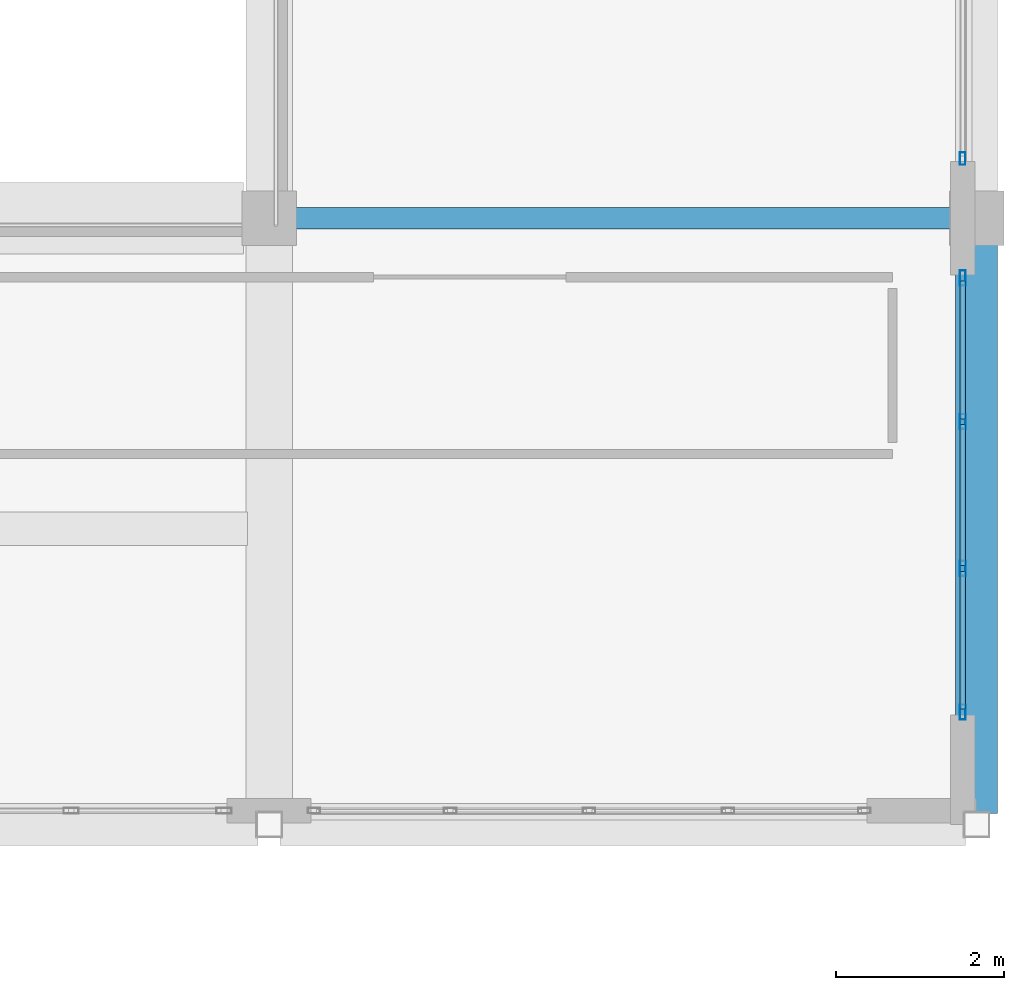
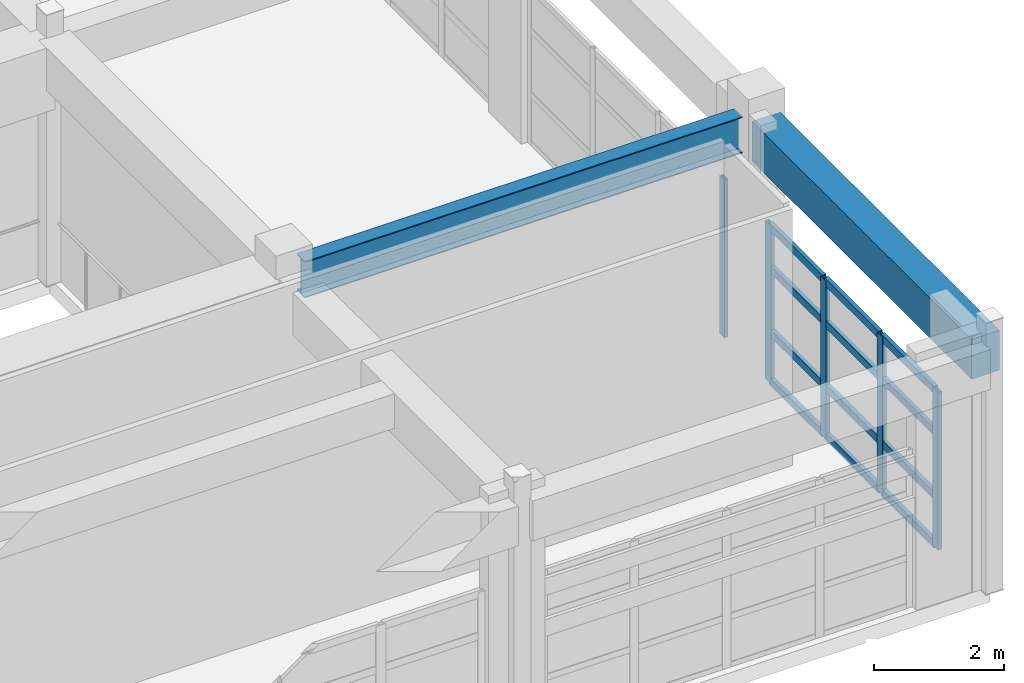
# One storey, part 68 of 103: 17 members, 2 beams, 2 elements without a shape of their own.
"""IFC4 building model written with IfcOpenShell, lengths in metres."""

from ifc_helpers import new_model, si_unit, direction, frame, origin, origin_2d, place, context, subcontext, project, spatial, rectangle, hollow_rectangle, i_section, extrude, material, layer, layer_set, material_profile, profile_set, type_object, element, aggregate, save


model = new_model("IFC4")

# Units and contexts
model_context = context("Model", 3, precision=1e-05, world=origin(), true_north=direction((0.0, 1.0)))
body_context = subcontext(model_context, "Body", "Model", "MODEL_VIEW")
ifc_project = project(units=[si_unit("LENGTHUNIT", "METRE"), si_unit("AREAUNIT", "SQUARE_METRE"), si_unit("VOLUMEUNIT", "CUBIC_METRE"), si_unit("PLANEANGLEUNIT", "RADIAN"), si_unit("MASSUNIT", "GRAM", prefix="KILO")], contexts=[model_context])

# Site, building, storey
site_placement = place(None, origin())
site = spatial("IfcSite", under=ifc_project, at=site_placement, CompositionType="ELEMENT")
building_placement = place(site_placement, origin())
building = spatial("IfcBuilding", under=site, at=building_placement, Name="Quendrovan Civic Courthouse", CompositionType="ELEMENT")
storey_placement = place(building_placement, frame((0.0, 0.0, 15.300048828125)))
storey = spatial("IfcBuildingStorey", under=building, at=storey_placement, Name="L04", CompositionType="ELEMENT", Elevation=15.300048828125)

# Beams
ifc_material_1 = material(Name="Concrete C40/50", Category="concrete")
ifc_material_profile_1 = material_profile(ifc_material_1, rectangle(XDim=0.5, YDim=0.75, at=origin_2d()), Name="RC-BM-500x750")
ifc_profile_set_1 = profile_set([ifc_material_profile_1], Name="Concrete C40/50")
beam_type_1 = type_object("IfcBeamType", Name="BM-RC750", PredefinedType="SPANDREL", material=ifc_profile_set_1)
beam_1_placement = place(storey_placement, frame((142.800048828125, 87.72998046875, 4.284912109375), z_axis=(0.0, 1.0, 0.0), x_axis=(-1.0, 0.0, 0.0)))
element("IfcBeam", 1, at=beam_1_placement, inside=storey, type_object=beam_type_1, Name="L04 Girder Y0995", PredefinedType="SPANDREL", context=body_context, shape_type="SweptSolid", body=[
    extrude(rectangle(XDim=0.5, YDim=0.75, at=origin_2d()), origin(), (0.0, 0.0, 1.0), 6.76513671875),
])
ifc_material_2 = material(Name="Steel ASTM A992 Grade 50", Category="steel")
ifc_material_profile_2 = material_profile(ifc_material_2, i_section(OverallWidth=0.25390625, OverallDepth=0.68408203125, WebThickness=0.012451171875, FlangeThickness=0.018798828125, at=origin_2d()), Name="W27X94")
ifc_profile_set_2 = profile_set([ifc_material_profile_2], Name="Steel ASTM A992 Grade 50")
beam_type_2 = type_object("IfcBeamType", Name="BM-STL-W27", PredefinedType="BEAM", material=ifc_profile_set_2)
beam_2_placement = place(storey_placement, frame((134.705078125, 94.800048828125, 4.31787109375), z_axis=(1.0, 0.0, 0.0), x_axis=(0.0, 1.0, 0.0)))
element("IfcBeam", 2, at=beam_2_placement, inside=storey, type_object=beam_type_2, Name="L04 Girder X0917", PredefinedType="BEAM", context=body_context, shape_type="SweptSolid", body=[
    extrude(i_section(OverallWidth=0.25390625, OverallDepth=0.68408203125, WebThickness=0.012451171875, FlangeThickness=0.018798828125, at=origin_2d()), origin(), (0.0, 0.0, 1.0), 7.7900390625),
])

# Curtain wall, members
ifc_material_3 = material(Name="Bronze anodised aluminium and low-E glass", Category="aluminium")
ifc_layer_1 = layer(ifc_material_3, 0.179931640625, Name="Bronze anodised aluminium and low-E glass")
ifc_layer_set_1 = layer_set([ifc_layer_1], Name="Bronze anodised aluminium and low-E glass")
curtain_wall_type_1 = type_object("IfcCurtainWallType", Name="CW-U52x30", PredefinedType="USERDEFINED", material=ifc_layer_set_1)
curtain_wall_1_placement = place(storey_placement, origin())
curtain_wall_1 = element("IfcCurtainWall", 3, at=curtain_wall_1_placement, inside=storey, type_object=curtain_wall_type_1, Name="L04 Unitised Hurricane Curtain Wall CW-172", ObjectType="UNITISED CURTAIN WALL", PredefinedType="USERDEFINED")
ifc_material_4 = material(Name="Bronze anodised aluminium", Category="aluminium")
ifc_material_profile_3 = material_profile(ifc_material_4, hollow_rectangle(XDim=0.070068359375, YDim=0.179931640625, WallThickness=0.00390625, at=origin_2d()), Name="CW-MULL-70x180")
ifc_profile_set_3 = profile_set([ifc_material_profile_3], Name="Bronze anodised aluminium")
member_type_1 = type_object("IfcMemberType", Name="CW-MULL-A", PredefinedType="MULLION", material=ifc_profile_set_3)
member_1_placement = place(storey_placement, frame((142.635009765625, 94.090087890625, 0.0), z_axis=(0.0, 0.0, 1.0), x_axis=(1.0, 0.0, 0.0)))
member_1 = element("IfcMember", 4, at=member_1_placement, type_object=member_type_1, Name="CW-172 mullion 1", PredefinedType="MULLION", context=body_context, shape_type="SweptSolid", body=[
    extrude(hollow_rectangle(XDim=0.070068359375, YDim=0.179931640625, WallThickness=0.00390625, at=origin_2d()), origin(), (0.0, 0.0, 1.0), 2.969970703125),
])
member_2_placement = place(storey_placement, frame((142.635009765625, 92.38330078125, 0.0), z_axis=(0.0, 0.0, 1.0), x_axis=(1.0, 0.0, 0.0)))
member_2 = element("IfcMember", 5, at=member_2_placement, type_object=member_type_1, Name="CW-172 mullion 2", PredefinedType="MULLION", context=body_context, shape_type="SweptSolid", body=[
    extrude(hollow_rectangle(XDim=0.070068359375, YDim=0.179931640625, WallThickness=0.00390625, at=origin_2d()), origin(), (0.0, 0.0, 1.0), 2.969970703125),
])
member_3_placement = place(storey_placement, frame((142.635009765625, 90.6416015625, 0.0), z_axis=(0.0, 0.0, 1.0), x_axis=(1.0, 0.0, 0.0)))
member_3 = element("IfcMember", 6, at=member_3_placement, type_object=member_type_1, Name="CW-172 mullion 3", PredefinedType="MULLION", context=body_context, shape_type="SweptSolid", body=[
    extrude(hollow_rectangle(XDim=0.070068359375, YDim=0.179931640625, WallThickness=0.00390625, at=origin_2d()), origin(), (0.0, 0.0, 1.0), 2.969970703125),
])
member_4_placement = place(storey_placement, frame((142.635009765625, 88.93505859375, 0.0), z_axis=(0.0, 0.0, 1.0), x_axis=(1.0, 0.0, 0.0)))
member_4 = element("IfcMember", 7, at=member_4_placement, type_object=member_type_1, Name="CW-172 mullion 4", PredefinedType="MULLION", context=body_context, shape_type="SweptSolid", body=[
    extrude(hollow_rectangle(XDim=0.070068359375, YDim=0.179931640625, WallThickness=0.00390625, at=origin_2d()), origin(), (0.0, 0.0, 1.0), 2.969970703125),
])

# Curtain wall, member
ifc_layer_2 = layer(ifc_material_3, 0.179931640625, Name="Bronze anodised aluminium and low-E glass")
ifc_layer_set_2 = layer_set([ifc_layer_2], Name="Bronze anodised aluminium and low-E glass")
curtain_wall_type_2 = type_object("IfcCurtainWallType", Name="CW-U60x30", PredefinedType="USERDEFINED", material=ifc_layer_set_2)
curtain_wall_2_placement = place(storey_placement, origin())
curtain_wall_2 = element("IfcCurtainWall", 8, at=curtain_wall_2_placement, inside=storey, type_object=curtain_wall_type_2, Name="L04 Unitised Hurricane Curtain Wall CW-171", ObjectType="UNITISED CURTAIN WALL", PredefinedType="USERDEFINED")
ifc_material_profile_4 = material_profile(ifc_material_4, hollow_rectangle(XDim=0.06494140625, YDim=0.14990234375, WallThickness=0.00390625, at=origin_2d()), Name="CW-MULL-65x150")
ifc_profile_set_4 = profile_set([ifc_material_profile_4], Name="Bronze anodised aluminium")
member_type_2 = type_object("IfcMemberType", Name="CW-MULL-B", PredefinedType="MULLION", material=ifc_profile_set_4)
member_5_placement = place(storey_placement, frame((142.635009765625, 95.507568359375, 0.0), z_axis=(0.0, 0.0, 1.0), x_axis=(1.0, 0.0, 0.0)))
member_5 = element("IfcMember", 9, at=member_5_placement, type_object=member_type_2, Name="CW-171 mullion 4", PredefinedType="MULLION", context=body_context, shape_type="SweptSolid", body=[
    extrude(hollow_rectangle(XDim=0.06494140625, YDim=0.14990234375, WallThickness=0.00390625, at=origin_2d()), origin(), (0.0, 0.0, 1.0), 2.969970703125),
])
aggregate(curtain_wall_2, [member_5])

# Member
ifc_material_profile_5 = material_profile(ifc_material_4, hollow_rectangle(XDim=0.070068359375, YDim=0.139892578125, WallThickness=0.00390625, at=origin_2d()), Name="CW-TRAN-70x140")
ifc_profile_set_5 = profile_set([ifc_material_profile_5], Name="Bronze anodised aluminium")
member_type_3 = type_object("IfcMemberType", Name="CW-TRAN-A", PredefinedType="USERDEFINED", material=ifc_profile_set_5)
member_6_placement = place(storey_placement, frame((142.635009765625, 94.054931640625, 0.034912109375), z_axis=(0.0, -1.0, 0.0), x_axis=(1.0, 0.0, 0.0)))
member_6 = element("IfcMember", 10, at=member_6_placement, type_object=member_type_3, Name="CW-172 transom 1.1", ObjectType="TRANSOM", PredefinedType="USERDEFINED", context=body_context, shape_type="SweptSolid", body=[
    extrude(hollow_rectangle(XDim=0.070068359375, YDim=0.139892578125, WallThickness=0.00390625, at=origin_2d()), origin(), (0.0, 0.0, 1.0), 1.63671875),
])

member_7_placement = place(storey_placement, frame((142.635009765625, 94.054931640625, 0.949951171875), z_axis=(0.0, -1.0, 0.0), x_axis=(1.0, 0.0, 0.0)))
member_7 = element("IfcMember", 11, at=member_7_placement, type_object=member_type_3, Name="CW-172 transom 1.2", ObjectType="TRANSOM", PredefinedType="USERDEFINED", context=body_context, shape_type="SweptSolid", body=[
    extrude(hollow_rectangle(XDim=0.070068359375, YDim=0.139892578125, WallThickness=0.00390625, at=origin_2d()), origin(), (0.0, 0.0, 1.0), 1.63671875),
])

member_8_placement = place(storey_placement, frame((142.635009765625, 94.054931640625, 2.14990234375), z_axis=(0.0, -1.0, 0.0), x_axis=(1.0, 0.0, 0.0)))
member_8 = element("IfcMember", 12, at=member_8_placement, type_object=member_type_3, Name="CW-172 transom 1.3", ObjectType="TRANSOM", PredefinedType="USERDEFINED", context=body_context, shape_type="SweptSolid", body=[
    extrude(hollow_rectangle(XDim=0.070068359375, YDim=0.139892578125, WallThickness=0.00390625, at=origin_2d()), origin(), (0.0, 0.0, 1.0), 1.63671875),
])

member_9_placement = place(storey_placement, frame((142.635009765625, 94.054931640625, 2.93505859375), z_axis=(0.0, -1.0, 0.0), x_axis=(1.0, 0.0, 0.0)))
member_9 = element("IfcMember", 13, at=member_9_placement, type_object=member_type_3, Name="CW-172 transom 1.4", ObjectType="TRANSOM", PredefinedType="USERDEFINED", context=body_context, shape_type="SweptSolid", body=[
    extrude(hollow_rectangle(XDim=0.070068359375, YDim=0.139892578125, WallThickness=0.00390625, at=origin_2d()), origin(), (0.0, 0.0, 1.0), 1.63671875),
])

member_10_placement = place(storey_placement, frame((142.635009765625, 92.348388671875, 0.034912109375), z_axis=(0.0, -1.0, 0.0), x_axis=(1.0, 0.0, 0.0)))
member_10 = element("IfcMember", 14, at=member_10_placement, type_object=member_type_3, Name="CW-172 transom 2.1", ObjectType="TRANSOM", PredefinedType="USERDEFINED", context=body_context, shape_type="SweptSolid", body=[
    extrude(hollow_rectangle(XDim=0.070068359375, YDim=0.139892578125, WallThickness=0.00390625, at=origin_2d()), origin(), (0.0, 0.0, 1.0), 1.671630859375),
])

member_11_placement = place(storey_placement, frame((142.635009765625, 92.348388671875, 0.949951171875), z_axis=(0.0, -1.0, 0.0), x_axis=(1.0, 0.0, 0.0)))
member_11 = element("IfcMember", 15, at=member_11_placement, type_object=member_type_3, Name="CW-172 transom 2.2", ObjectType="TRANSOM", PredefinedType="USERDEFINED", context=body_context, shape_type="SweptSolid", body=[
    extrude(hollow_rectangle(XDim=0.070068359375, YDim=0.139892578125, WallThickness=0.00390625, at=origin_2d()), origin(), (0.0, 0.0, 1.0), 1.671630859375),
])

member_12_placement = place(storey_placement, frame((142.635009765625, 92.348388671875, 2.14990234375), z_axis=(0.0, -1.0, 0.0), x_axis=(1.0, 0.0, 0.0)))
member_12 = element("IfcMember", 16, at=member_12_placement, type_object=member_type_3, Name="CW-172 transom 2.3", ObjectType="TRANSOM", PredefinedType="USERDEFINED", context=body_context, shape_type="SweptSolid", body=[
    extrude(hollow_rectangle(XDim=0.070068359375, YDim=0.139892578125, WallThickness=0.00390625, at=origin_2d()), origin(), (0.0, 0.0, 1.0), 1.671630859375),
])

member_13_placement = place(storey_placement, frame((142.635009765625, 92.348388671875, 2.93505859375), z_axis=(0.0, -1.0, 0.0), x_axis=(1.0, 0.0, 0.0)))
member_13 = element("IfcMember", 17, at=member_13_placement, type_object=member_type_3, Name="CW-172 transom 2.4", ObjectType="TRANSOM", PredefinedType="USERDEFINED", context=body_context, shape_type="SweptSolid", body=[
    extrude(hollow_rectangle(XDim=0.070068359375, YDim=0.139892578125, WallThickness=0.00390625, at=origin_2d()), origin(), (0.0, 0.0, 1.0), 1.671630859375),
])

member_14_placement = place(storey_placement, frame((142.635009765625, 90.606689453125, 0.034912109375), z_axis=(0.0, -1.0, 0.0), x_axis=(1.0, 0.0, 0.0)))
member_14 = element("IfcMember", 18, at=member_14_placement, type_object=member_type_3, Name="CW-172 transom 3.1", ObjectType="TRANSOM", PredefinedType="USERDEFINED", context=body_context, shape_type="SweptSolid", body=[
    extrude(hollow_rectangle(XDim=0.070068359375, YDim=0.139892578125, WallThickness=0.00390625, at=origin_2d()), origin(), (0.0, 0.0, 1.0), 1.63671875),
])

member_15_placement = place(storey_placement, frame((142.635009765625, 90.606689453125, 0.949951171875), z_axis=(0.0, -1.0, 0.0), x_axis=(1.0, 0.0, 0.0)))
member_15 = element("IfcMember", 19, at=member_15_placement, type_object=member_type_3, Name="CW-172 transom 3.2", ObjectType="TRANSOM", PredefinedType="USERDEFINED", context=body_context, shape_type="SweptSolid", body=[
    extrude(hollow_rectangle(XDim=0.070068359375, YDim=0.139892578125, WallThickness=0.00390625, at=origin_2d()), origin(), (0.0, 0.0, 1.0), 1.63671875),
])

member_16_placement = place(storey_placement, frame((142.635009765625, 90.606689453125, 2.14990234375), z_axis=(0.0, -1.0, 0.0), x_axis=(1.0, 0.0, 0.0)))
member_16 = element("IfcMember", 20, at=member_16_placement, type_object=member_type_3, Name="CW-172 transom 3.3", ObjectType="TRANSOM", PredefinedType="USERDEFINED", context=body_context, shape_type="SweptSolid", body=[
    extrude(hollow_rectangle(XDim=0.070068359375, YDim=0.139892578125, WallThickness=0.00390625, at=origin_2d()), origin(), (0.0, 0.0, 1.0), 1.63671875),
])

member_17_placement = place(storey_placement, frame((142.635009765625, 90.606689453125, 2.93505859375), z_axis=(0.0, -1.0, 0.0), x_axis=(1.0, 0.0, 0.0)))
member_17 = element("IfcMember", 21, at=member_17_placement, type_object=member_type_3, Name="CW-172 transom 3.4", ObjectType="TRANSOM", PredefinedType="USERDEFINED", context=body_context, shape_type="SweptSolid", body=[
    extrude(hollow_rectangle(XDim=0.070068359375, YDim=0.139892578125, WallThickness=0.00390625, at=origin_2d()), origin(), (0.0, 0.0, 1.0), 1.63671875),
])

aggregate(curtain_wall_1, [member_1, member_2, member_3, member_4, member_6, member_7, member_8, member_9, member_10, member_11, member_12, member_13, member_14, member_15, member_16, member_17])

save(model, "model.ifc")
